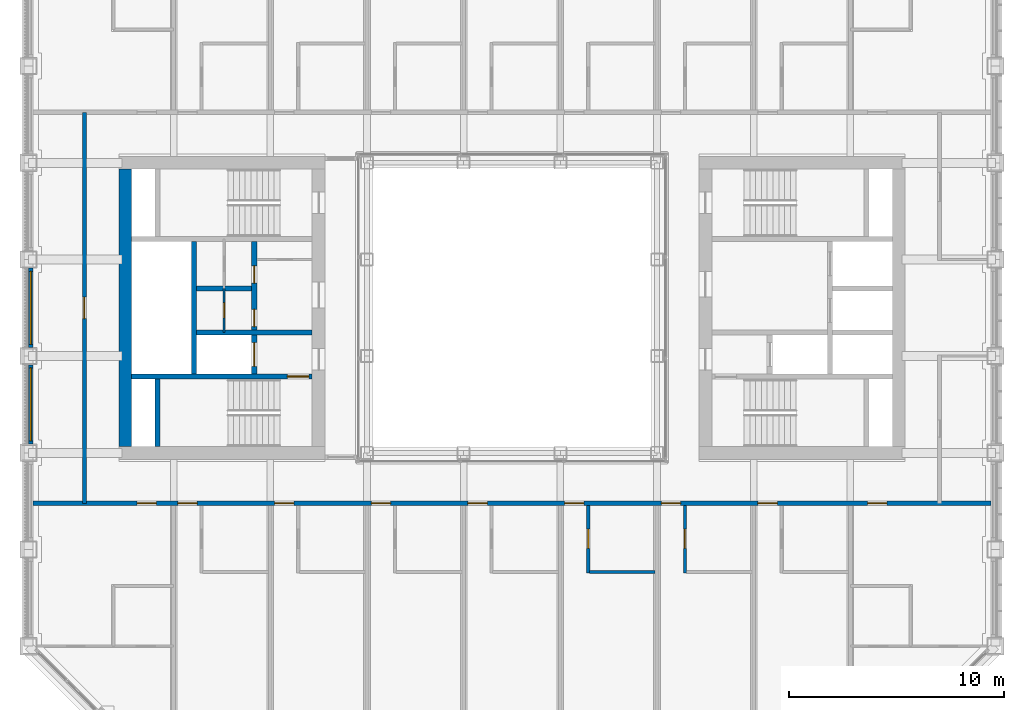
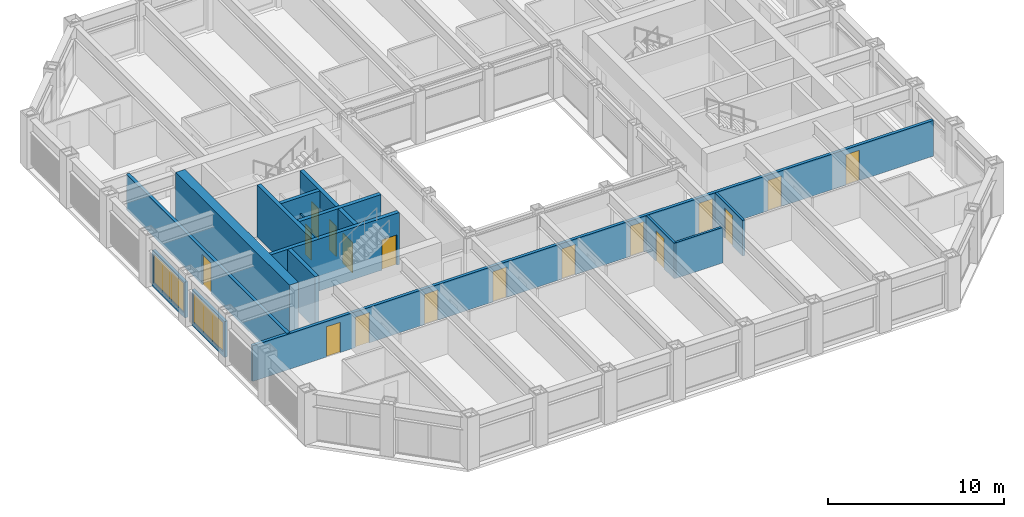
# One storey, part 11 of 18: 17 doors, 15 walls, 2 windows, 19 openings.
"""IFC4 building model written with IfcOpenShell, lengths in metres."""

from ifc_helpers import new_model, si_unit, direction, frame, frame_2d, origin, place, context, subcontext, project, spatial, rectangle, extrude, material, layer, layer_set, type_object, element, fill, save


model = new_model("IFC4")

# Units and contexts
model_context = context("Model", 3, precision=1e-05, world=origin(), true_north=direction((0.0, 1.0)))
body_context = subcontext(model_context, "Body", "Model", "MODEL_VIEW")
ifc_project = project(units=[si_unit("LENGTHUNIT", "METRE"), si_unit("AREAUNIT", "SQUARE_METRE"), si_unit("VOLUMEUNIT", "CUBIC_METRE"), si_unit("PLANEANGLEUNIT", "RADIAN"), si_unit("MASSUNIT", "GRAM", prefix="KILO")], contexts=[model_context])

# Site, building, storey
site_placement = place(None, origin())
site = spatial("IfcSite", under=ifc_project, at=site_placement, CompositionType="ELEMENT")
building_placement = place(site_placement, origin())
building = spatial("IfcBuilding", under=site, at=building_placement, Name="Msasa Ring Tower", CompositionType="ELEMENT")
storey_placement = place(building_placement, frame((0.0, 0.0, 122.0)))
storey = spatial("IfcBuildingStorey", under=building, at=storey_placement, Name="L31", CompositionType="ELEMENT", Elevation=122.0)

# Wall
ifc_material_1 = material(Name="Concrete C60/75", Category="concrete")
ifc_layer_1 = layer(ifc_material_1, 0.60009765625)
ifc_layer_set_1 = layer_set([ifc_layer_1], Name="CW2 CORE WALL 600")
wall_type_1 = type_object("IfcWallType", Name="CW2 CORE WALL 600", PredefinedType="SHEAR", material=ifc_layer_set_1)
wall_1_placement = place(storey_placement, frame((-18.0, -6.449951171875, 0.0), z_axis=(0.0, 0.0, 1.0), x_axis=(0.0, 1.0, 0.0)))
element("IfcWall", 1, at=wall_1_placement, inside=storey, type_object=wall_type_1, Name="W core wall E L31", PredefinedType="SHEAR", context=body_context, shape_type="SweptSolid", body=[
    extrude(rectangle(XDim=12.89990234375, YDim=0.60009765625, at=frame_2d((6.449951171875, 0.0))), origin(), (0.0, 0.0, 1.0), 3.60009765625),
])

# Wall, opening, door
ifc_material_2 = material(Name="Concrete C60/75", Category="concrete")
ifc_layer_2 = layer(ifc_material_2, 0.25)
ifc_layer_set_2 = layer_set([ifc_layer_2], Name="CW4 CORE INNER WALL 250")
wall_type_2 = type_object("IfcWallType", Name="CW4 CORE INNER WALL 250", PredefinedType="SHEAR", material=ifc_layer_set_2)
wall_2_placement = place(storey_placement, frame((-9.300048828125, -3.199951171875, 0.0), z_axis=(0.0, 0.0, 1.0), x_axis=(-1.0, 0.0, 0.0)))
wall_2 = element("IfcWall", 2, at=wall_2_placement, inside=storey, type_object=wall_type_2, Name="W core wall STAIRA L31", PredefinedType="SHEAR", context=body_context, shape_type="SweptSolid", body=[
    extrude(rectangle(XDim=8.39990234375, YDim=0.25, at=frame_2d((4.199951171875, 0.0))), origin(), (0.0, 0.0, 1.0), 3.60009765625),
])
opening_1_placement = place(wall_2_placement, frame((0.14990234375, 0.0, 0.0)))
opening_1 = element("IfcOpeningElement", 3, at=opening_1_placement, cuts=wall_2, Name="Opening HA-035", PredefinedType="OPENING", context=body_context, shape_type="SweptSolid", body=[
    extrude(rectangle(XDim=1.0, YDim=2.10009765625, at=frame_2d((0.5, 1.050048828125))), frame((0.0, 0.135009765625, 0.0), z_axis=(0.0, -1.0, 0.0), x_axis=(1.0, 0.0, 0.0)), (0.0, 0.0, 1.0), 0.27001953125),
])
ifc_material_3 = material(Name="Timber door leaf in a steel frame", Category="steel")
door_type_1 = type_object("IfcDoorType", Name="D6 STAIR DOOR 1000x2100", OperationType="SINGLE_SWING_LEFT", PredefinedType="DOOR", material=ifc_material_3)
door_1_placement = place(opening_1_placement, origin())
door_1 = element("IfcDoor", 4, at=door_1_placement, inside=storey, type_object=door_type_1, Name="Door L31-WSTA", OperationType="SINGLE_SWING_LEFT", OverallHeight=2.10009765625, OverallWidth=1.0, PredefinedType="DOOR", context=body_context, shape_type="SweptSolid", body=[
    extrude(rectangle(XDim=1.0, YDim=2.10009765625, at=frame_2d((0.5, 1.050048828125))), frame((0.0, 0.02490234375, 0.0), z_axis=(0.0, -1.0, 0.0), x_axis=(1.0, 0.0, 0.0)), (0.0, 0.0, 1.0), 0.050048828125),
])
fill(opening_1, door_1)

# Walls
wall_3_placement = place(storey_placement, frame((-16.5, -6.449951171875, 0.0), z_axis=(0.0, 0.0, 1.0), x_axis=(0.0, 1.0, 0.0)))
element("IfcWall", 5, at=wall_3_placement, inside=storey, type_object=wall_type_2, Name="W core wall RISERA L31", PredefinedType="SHEAR", context=body_context, shape_type="SweptSolid", body=[
    extrude(rectangle(XDim=3.125, YDim=0.25, at=frame_2d((1.5625, 0.0))), origin(), (0.0, 0.0, 1.0), 3.60009765625),
])
wall_4_placement = place(storey_placement, frame((-9.300048828125, -1.14990234375, 0.0), z_axis=(0.0, 0.0, 1.0), x_axis=(-1.0, 0.0, 0.0)))
element("IfcWall", 6, at=wall_4_placement, inside=storey, type_object=wall_type_2, Name="W core wall FFL L31", PredefinedType="SHEAR", context=body_context, shape_type="SweptSolid", body=[
    extrude(rectangle(XDim=5.375, YDim=0.25, at=frame_2d((2.6875, 0.0))), origin(), (0.0, 0.0, 1.0), 3.60009765625),
])

# Wall, openings, doors
wall_5_placement = place(storey_placement, frame((-12.0, -3.074951171875, 0.0), z_axis=(0.0, 0.0, 1.0), x_axis=(0.0, 1.0, 0.0)))
wall_5 = element("IfcWall", 7, at=wall_5_placement, inside=storey, type_object=wall_type_2, Name="W core wall LOBBY L31", PredefinedType="SHEAR", context=body_context, shape_type="SweptSolid", body=[
    extrude(rectangle(XDim=6.14990234375, YDim=0.25, at=frame_2d((3.074951171875, 0.0))), origin(), (0.0, 0.0, 1.0), 3.60009765625),
])
opening_2_placement = place(wall_5_placement, frame((2.199951171875, 0.0, 0.0)))
opening_2 = element("IfcOpeningElement", 8, at=opening_2_placement, cuts=wall_5, Name="Opening HA-032", PredefinedType="OPENING", context=body_context, shape_type="SweptSolid", body=[
    extrude(rectangle(XDim=0.800048828125, YDim=2.10009765625, at=frame_2d((0.39990234375, 1.050048828125))), frame((0.0, 0.135009765625, 0.0), z_axis=(0.0, -1.0, 0.0), x_axis=(1.0, 0.0, 0.0)), (0.0, 0.0, 1.0), 0.27001953125),
])
opening_3_placement = place(wall_5_placement, frame((4.22509765625, 0.0, 0.0)))
opening_3 = element("IfcOpeningElement", 9, at=opening_3_placement, cuts=wall_5, Name="Opening HA-027", PredefinedType="OPENING", context=body_context, shape_type="SweptSolid", body=[
    extrude(rectangle(XDim=0.800048828125, YDim=2.10009765625, at=frame_2d((0.39990234375, 1.050048828125))), frame((0.0, 0.135009765625, 0.0), z_axis=(0.0, -1.0, 0.0), x_axis=(1.0, 0.0, 0.0)), (0.0, 0.0, 1.0), 0.27001953125),
])
opening_4_placement = place(wall_5_placement, frame((0.35009765625, 0.0, 0.0)))
opening_4 = element("IfcOpeningElement", 10, at=opening_4_placement, cuts=wall_5, Name="Opening LD1", PredefinedType="OPENING", context=body_context, shape_type="SweptSolid", body=[
    extrude(rectangle(XDim=1.10009765625, YDim=2.10009765625, at=frame_2d((0.550048828125, 1.050048828125))), frame((0.0, 0.135009765625, 0.0), z_axis=(0.0, -1.0, 0.0), x_axis=(1.0, 0.0, 0.0)), (0.0, 0.0, 1.0), 0.27001953125),
])
ifc_material_4 = material(Name="Timber door leaf in a steel frame", Category="steel")
door_type_2 = type_object("IfcDoorType", Name="D9 NARROW SERVICE DOOR 800x2100", OperationType="SINGLE_SWING_LEFT", PredefinedType="DOOR", material=ifc_material_4)
door_2_placement = place(opening_2_placement, origin())
door_2 = element("IfcDoor", 11, at=door_2_placement, inside=storey, type_object=door_type_2, Name="Door L31-WR1", OperationType="SINGLE_SWING_LEFT", OverallHeight=2.10009765625, OverallWidth=0.800048828125, PredefinedType="DOOR", context=body_context, shape_type="SweptSolid", body=[
    extrude(rectangle(XDim=0.800048828125, YDim=2.10009765625, at=frame_2d((0.39990234375, 1.050048828125))), frame((0.0, 0.02490234375, 0.0), z_axis=(0.0, -1.0, 0.0), x_axis=(1.0, 0.0, 0.0)), (0.0, 0.0, 1.0), 0.050048828125),
])
fill(opening_2, door_2)
door_3_placement = place(opening_3_placement, origin())
door_3 = element("IfcDoor", 12, at=door_3_placement, inside=storey, type_object=door_type_2, Name="Door L31-WR2", OperationType="SINGLE_SWING_RIGHT", OverallHeight=2.10009765625, OverallWidth=0.800048828125, PredefinedType="DOOR", context=body_context, shape_type="SweptSolid", body=[
    extrude(rectangle(XDim=0.800048828125, YDim=2.10009765625, at=frame_2d((0.39990234375, 1.050048828125))), frame((0.0, 0.02490234375, 0.0), z_axis=(0.0, -1.0, 0.0), x_axis=(1.0, 0.0, 0.0)), (0.0, 0.0, 1.0), 0.050048828125),
])
fill(opening_3, door_3)
ifc_material_5 = material(Name="Stainless steel lift landing door", Category="steel")
door_type_3 = type_object("IfcDoorType", Name="LD1 LIFT LANDING DOOR 1100x2100", OperationType="DOUBLE_DOOR_SLIDING", PredefinedType="DOOR", material=ifc_material_5)
door_4_placement = place(opening_4_placement, origin())
door_4 = element("IfcDoor", 13, at=door_4_placement, inside=storey, type_object=door_type_3, Name="Lift landing door FL-W L31", OperationType="DOUBLE_DOOR_SLIDING", OverallHeight=2.10009765625, OverallWidth=1.10009765625, PredefinedType="DOOR", context=body_context, shape_type="SweptSolid", body=[
    extrude(rectangle(XDim=1.10009765625, YDim=2.10009765625, at=frame_2d((0.550048828125, 1.050048828125))), frame((0.0, 0.02490234375, 0.0), z_axis=(0.0, -1.0, 0.0), x_axis=(1.0, 0.0, 0.0)), (0.0, 0.0, 1.0), 0.050048828125),
])
fill(opening_4, door_4)

# Walls
wall_6_placement = place(storey_placement, frame((-14.800048828125, -3.074951171875, 0.0), z_axis=(0.0, 0.0, 1.0), x_axis=(0.0, 1.0, 0.0)))
element("IfcWall", 14, at=wall_6_placement, inside=storey, type_object=wall_type_2, Name="W core wall SHAFT L31", PredefinedType="SHEAR", context=body_context, shape_type="SweptSolid", body=[
    extrude(rectangle(XDim=6.14990234375, YDim=0.25, at=frame_2d((3.074951171875, 0.0))), origin(), (0.0, 0.0, 1.0), 3.60009765625),
])
wall_7_placement = place(storey_placement, frame((-12.125, 0.89990234375, 0.0), z_axis=(0.0, 0.0, 1.0), x_axis=(-1.0, 0.0, 0.0)))
element("IfcWall", 15, at=wall_7_placement, inside=storey, type_object=wall_type_2, Name="W core wall LIFT1 L31", PredefinedType="SHEAR", context=body_context, shape_type="SweptSolid", body=[
    extrude(rectangle(XDim=2.550048828125, YDim=0.25, at=frame_2d((1.27490234375, 0.0))), origin(), (0.0, 0.0, 1.0), 3.60009765625),
])

# Wall, opening, window
ifc_material_6 = material(Name="Terracotta rainscreen on blockwork", Category="masonry")
ifc_layer_3 = layer(ifc_material_6, 0.199951171875)
ifc_layer_set_3 = layer_set([ifc_layer_3], Name="FW1 TERRACOTTA-LINED INFILL BAY WALL 200")
wall_type_3 = type_object("IfcWallType", Name="FW1 TERRACOTTA-LINED INFILL BAY WALL 200", PredefinedType="SOLIDWALL", material=ifc_layer_set_3)
wall_8_placement = place(storey_placement, frame((-22.39990234375, -6.344970703125, 0.0), z_axis=(0.0, 0.0, 1.0), x_axis=(0.0, 1.0, 0.0)))
wall_8 = element("IfcWall", 16, at=wall_8_placement, inside=storey, type_object=wall_type_3, Name="Infill bay wall W L31 29", PredefinedType="SOLIDWALL", context=body_context, shape_type="SweptSolid", body=[
    extrude(rectangle(XDim=3.68994140625, YDim=0.199951171875, at=frame_2d((1.844970703125, 0.0))), origin(), (0.0, 0.0, 1.0), 2.47900390625),
])
opening_5_placement = place(wall_8_placement, frame((0.14501953125, 0.0, 0.300048828125)))
opening_5 = element("IfcOpeningElement", 17, at=opening_5_placement, cuts=wall_8, Name="Opening WN2", PredefinedType="OPENING", context=body_context, shape_type="SweptSolid", body=[
    extrude(rectangle(XDim=3.39990234375, YDim=2.029052734375, at=frame_2d((1.699951171875, 1.0146484375))), frame((0.0, 0.10986328125, 0.0), z_axis=(0.0, -1.0, 0.0), x_axis=(1.0, 0.0, 0.0)), (0.0, 0.0, 1.0), 0.219970703125),
])
ifc_material_7 = material(Name="Aluminium frame with clear glass", Category="aluminium")
window_type = type_object("IfcWindowType", Name="WN2 GUEST ROOM WINDOW 3400x2029", PartitioningType="SINGLE_PANEL", PredefinedType="WINDOW", material=ifc_material_7)
window_1_placement = place(opening_5_placement, origin())
window_1 = element("IfcWindow", 18, at=window_1_placement, inside=storey, type_object=window_type, Name="Window W L31 29", OverallHeight=2.029052734375, OverallWidth=3.39990234375, PartitioningType="SINGLE_PANEL", PredefinedType="WINDOW", context=body_context, shape_type="SweptSolid", body=[
    extrude(rectangle(XDim=3.39990234375, YDim=2.029052734375, at=frame_2d((1.699951171875, 1.0146484375))), frame((0.0, 0.030029296875, 0.0), z_axis=(0.0, -1.0, 0.0), x_axis=(1.0, 0.0, 0.0)), (0.0, 0.0, 1.0), 0.06005859375),
])
fill(opening_5, window_1)

wall_9_placement = place(storey_placement, frame((-22.39990234375, -1.844970703125, 0.0), z_axis=(0.0, 0.0, 1.0), x_axis=(0.0, 1.0, 0.0)))
wall_9 = element("IfcWall", 19, at=wall_9_placement, inside=storey, type_object=wall_type_3, Name="Infill bay wall W L31 30", PredefinedType="SOLIDWALL", context=body_context, shape_type="SweptSolid", body=[
    extrude(rectangle(XDim=3.68994140625, YDim=0.199951171875, at=frame_2d((1.844970703125, 0.0))), origin(), (0.0, 0.0, 1.0), 2.47900390625),
])
opening_6_placement = place(wall_9_placement, frame((0.14501953125, 0.0, 0.300048828125)))
opening_6 = element("IfcOpeningElement", 20, at=opening_6_placement, cuts=wall_9, Name="Opening WN2", PredefinedType="OPENING", context=body_context, shape_type="SweptSolid", body=[
    extrude(rectangle(XDim=3.39990234375, YDim=2.029052734375, at=frame_2d((1.699951171875, 1.0146484375))), frame((0.0, 0.10986328125, 0.0), z_axis=(0.0, -1.0, 0.0), x_axis=(1.0, 0.0, 0.0)), (0.0, 0.0, 1.0), 0.219970703125),
])
window_2_placement = place(opening_6_placement, origin())
window_2 = element("IfcWindow", 21, at=window_2_placement, inside=storey, type_object=window_type, Name="Window W L31 30", OverallHeight=2.029052734375, OverallWidth=3.39990234375, PartitioningType="SINGLE_PANEL", PredefinedType="WINDOW", context=body_context, shape_type="SweptSolid", body=[
    extrude(rectangle(XDim=3.39990234375, YDim=2.029052734375, at=frame_2d((1.699951171875, 1.0146484375))), frame((0.0, 0.030029296875, 0.0), z_axis=(0.0, -1.0, 0.0), x_axis=(1.0, 0.0, 0.0)), (0.0, 0.0, 1.0), 0.06005859375),
])
fill(opening_6, window_2)

# Wall, openings, doors
ifc_material_8 = material(Name="Concrete blockwork", Category="masonry")
ifc_layer_4 = layer(ifc_material_8, 0.199951171875)
ifc_layer_set_4 = layer_set([ifc_layer_4], Name="PT1 CORRIDOR WALL 200")
wall_type_4 = type_object("IfcWallType", Name="PT1 CORRIDOR WALL 200", PredefinedType="PARTITIONING", material=ifc_layer_set_4)
wall_10_placement = place(storey_placement, frame((-22.300048828125, -9.10009765625, 0.0), z_axis=(0.0, 0.0, 1.0), x_axis=(1.0, 0.0, 0.0)))
wall_10 = element("IfcWall", 22, at=wall_10_placement, inside=storey, type_object=wall_type_4, Name="Corridor wall L31-CORRS0", PredefinedType="PARTITIONING", context=body_context, shape_type="SweptSolid", body=[
    extrude(rectangle(XDim=44.60009765625, YDim=0.199951171875, at=frame_2d((22.300048828125, 0.0))), origin(), (0.0, 0.0, 1.0), 2.473388671875),
])
opening_7_placement = place(wall_10_placement, frame((6.75, 0.0, 0.0)))
opening_7 = element("IfcOpeningElement", 23, at=opening_7_placement, cuts=wall_10, Name="Opening HA-040", PredefinedType="OPENING", context=body_context, shape_type="SweptSolid", body=[
    extrude(rectangle(XDim=0.89990234375, YDim=2.10009765625, at=frame_2d((0.449951171875, 1.050048828125))), frame((0.0, 0.10986328125, 0.0), z_axis=(0.0, -1.0, 0.0), x_axis=(1.0, 0.0, 0.0)), (0.0, 0.0, 1.0), 0.219970703125),
])
opening_8_placement = place(wall_10_placement, frame((11.25, 0.0, 0.0)))
opening_8 = element("IfcOpeningElement", 24, at=opening_8_placement, cuts=wall_10, Name="Opening HA-041", PredefinedType="OPENING", context=body_context, shape_type="SweptSolid", body=[
    extrude(rectangle(XDim=0.89990234375, YDim=2.10009765625, at=frame_2d((0.449951171875, 1.050048828125))), frame((0.0, 0.10986328125, 0.0), z_axis=(0.0, -1.0, 0.0), x_axis=(1.0, 0.0, 0.0)), (0.0, 0.0, 1.0), 0.219970703125),
])
opening_9_placement = place(wall_10_placement, frame((15.75, 0.0, 0.0)))
opening_9 = element("IfcOpeningElement", 25, at=opening_9_placement, cuts=wall_10, Name="Opening HA-042", PredefinedType="OPENING", context=body_context, shape_type="SweptSolid", body=[
    extrude(rectangle(XDim=0.89990234375, YDim=2.10009765625, at=frame_2d((0.449951171875, 1.050048828125))), frame((0.0, 0.10986328125, 0.0), z_axis=(0.0, -1.0, 0.0), x_axis=(1.0, 0.0, 0.0)), (0.0, 0.0, 1.0), 0.219970703125),
])
opening_10_placement = place(wall_10_placement, frame((20.25, 0.0, 0.0)))
opening_10 = element("IfcOpeningElement", 26, at=opening_10_placement, cuts=wall_10, Name="Opening HA-043", PredefinedType="OPENING", context=body_context, shape_type="SweptSolid", body=[
    extrude(rectangle(XDim=0.89990234375, YDim=2.10009765625, at=frame_2d((0.449951171875, 1.050048828125))), frame((0.0, 0.10986328125, 0.0), z_axis=(0.0, -1.0, 0.0), x_axis=(1.0, 0.0, 0.0)), (0.0, 0.0, 1.0), 0.219970703125),
])
opening_11_placement = place(wall_10_placement, frame((24.75, 0.0, 0.0)))
opening_11 = element("IfcOpeningElement", 27, at=opening_11_placement, cuts=wall_10, Name="Opening HA-044", PredefinedType="OPENING", context=body_context, shape_type="SweptSolid", body=[
    extrude(rectangle(XDim=0.89990234375, YDim=2.10009765625, at=frame_2d((0.449951171875, 1.050048828125))), frame((0.0, 0.10986328125, 0.0), z_axis=(0.0, -1.0, 0.0), x_axis=(1.0, 0.0, 0.0)), (0.0, 0.0, 1.0), 0.219970703125),
])
opening_12_placement = place(wall_10_placement, frame((29.25, 0.0, 0.0)))
opening_12 = element("IfcOpeningElement", 28, at=opening_12_placement, cuts=wall_10, Name="Opening HA-045", PredefinedType="OPENING", context=body_context, shape_type="SweptSolid", body=[
    extrude(rectangle(XDim=0.89990234375, YDim=2.10009765625, at=frame_2d((0.449951171875, 1.050048828125))), frame((0.0, 0.10986328125, 0.0), z_axis=(0.0, -1.0, 0.0), x_axis=(1.0, 0.0, 0.0)), (0.0, 0.0, 1.0), 0.219970703125),
])
opening_13_placement = place(wall_10_placement, frame((33.75, 0.0, 0.0)))
opening_13 = element("IfcOpeningElement", 29, at=opening_13_placement, cuts=wall_10, Name="Opening HA-046", PredefinedType="OPENING", context=body_context, shape_type="SweptSolid", body=[
    extrude(rectangle(XDim=0.89990234375, YDim=2.10009765625, at=frame_2d((0.449951171875, 1.050048828125))), frame((0.0, 0.10986328125, 0.0), z_axis=(0.0, -1.0, 0.0), x_axis=(1.0, 0.0, 0.0)), (0.0, 0.0, 1.0), 0.219970703125),
])
opening_14_placement = place(wall_10_placement, frame((38.85009765625, 0.0, 0.0)))
opening_14 = element("IfcOpeningElement", 30, at=opening_14_placement, cuts=wall_10, Name="Opening HA-047", PredefinedType="OPENING", context=body_context, shape_type="SweptSolid", body=[
    extrude(rectangle(XDim=0.89990234375, YDim=2.10009765625, at=frame_2d((0.449951171875, 1.050048828125))), frame((0.0, 0.10986328125, 0.0), z_axis=(0.0, -1.0, 0.0), x_axis=(1.0, 0.0, 0.0)), (0.0, 0.0, 1.0), 0.219970703125),
])
opening_15_placement = place(wall_10_placement, frame((4.85009765625, 0.0, 0.0)))
opening_15 = element("IfcOpeningElement", 31, at=opening_15_placement, cuts=wall_10, Name="Opening HA-039", PredefinedType="OPENING", context=body_context, shape_type="SweptSolid", body=[
    extrude(rectangle(XDim=0.89990234375, YDim=2.10009765625, at=frame_2d((0.449951171875, 1.050048828125))), frame((0.0, 0.10986328125, 0.0), z_axis=(0.0, -1.0, 0.0), x_axis=(1.0, 0.0, 0.0)), (0.0, 0.0, 1.0), 0.219970703125),
])
ifc_material_9 = material(Name="Timber door leaf in a steel frame", Category="steel")
door_type_4 = type_object("IfcDoorType", Name="D1 SINGLE DOOR TO CORRIDOR 900x2100", OperationType="SINGLE_SWING_LEFT", PredefinedType="DOOR", material=ifc_material_9)
door_5_placement = place(opening_7_placement, origin())
door_5 = element("IfcDoor", 32, at=door_5_placement, inside=storey, type_object=door_type_4, Name="Door L31-GS00", OperationType="SINGLE_SWING_LEFT", OverallHeight=2.10009765625, OverallWidth=0.89990234375, PredefinedType="DOOR", context=body_context, shape_type="SweptSolid", body=[
    extrude(rectangle(XDim=0.89990234375, YDim=2.10009765625, at=frame_2d((0.449951171875, 1.050048828125))), frame((0.0, 0.02490234375, 0.0), z_axis=(0.0, -1.0, 0.0), x_axis=(1.0, 0.0, 0.0)), (0.0, 0.0, 1.0), 0.050048828125),
])
fill(opening_7, door_5)
door_6_placement = place(opening_8_placement, origin())
door_6 = element("IfcDoor", 33, at=door_6_placement, inside=storey, type_object=door_type_4, Name="Door L31-GS01", OperationType="SINGLE_SWING_LEFT", OverallHeight=2.10009765625, OverallWidth=0.89990234375, PredefinedType="DOOR", context=body_context, shape_type="SweptSolid", body=[
    extrude(rectangle(XDim=0.89990234375, YDim=2.10009765625, at=frame_2d((0.449951171875, 1.050048828125))), frame((0.0, 0.02490234375, 0.0), z_axis=(0.0, -1.0, 0.0), x_axis=(1.0, 0.0, 0.0)), (0.0, 0.0, 1.0), 0.050048828125),
])
fill(opening_8, door_6)
door_7_placement = place(opening_9_placement, origin())
door_7 = element("IfcDoor", 34, at=door_7_placement, inside=storey, type_object=door_type_4, Name="Door L31-GS02", OperationType="SINGLE_SWING_LEFT", OverallHeight=2.10009765625, OverallWidth=0.89990234375, PredefinedType="DOOR", context=body_context, shape_type="SweptSolid", body=[
    extrude(rectangle(XDim=0.89990234375, YDim=2.10009765625, at=frame_2d((0.449951171875, 1.050048828125))), frame((0.0, 0.02490234375, 0.0), z_axis=(0.0, -1.0, 0.0), x_axis=(1.0, 0.0, 0.0)), (0.0, 0.0, 1.0), 0.050048828125),
])
fill(opening_9, door_7)
door_8_placement = place(opening_10_placement, origin())
door_8 = element("IfcDoor", 35, at=door_8_placement, inside=storey, type_object=door_type_4, Name="Door L31-GS03", OperationType="SINGLE_SWING_LEFT", OverallHeight=2.10009765625, OverallWidth=0.89990234375, PredefinedType="DOOR", context=body_context, shape_type="SweptSolid", body=[
    extrude(rectangle(XDim=0.89990234375, YDim=2.10009765625, at=frame_2d((0.449951171875, 1.050048828125))), frame((0.0, 0.02490234375, 0.0), z_axis=(0.0, -1.0, 0.0), x_axis=(1.0, 0.0, 0.0)), (0.0, 0.0, 1.0), 0.050048828125),
])
fill(opening_10, door_8)
door_9_placement = place(opening_11_placement, origin())
door_9 = element("IfcDoor", 36, at=door_9_placement, inside=storey, type_object=door_type_4, Name="Door L31-GS04", OperationType="SINGLE_SWING_RIGHT", OverallHeight=2.10009765625, OverallWidth=0.89990234375, PredefinedType="DOOR", context=body_context, shape_type="SweptSolid", body=[
    extrude(rectangle(XDim=0.89990234375, YDim=2.10009765625, at=frame_2d((0.449951171875, 1.050048828125))), frame((0.0, 0.02490234375, 0.0), z_axis=(0.0, -1.0, 0.0), x_axis=(1.0, 0.0, 0.0)), (0.0, 0.0, 1.0), 0.050048828125),
])
fill(opening_11, door_9)
door_10_placement = place(opening_12_placement, origin())
door_10 = element("IfcDoor", 37, at=door_10_placement, inside=storey, type_object=door_type_4, Name="Door L31-GS05", OperationType="SINGLE_SWING_RIGHT", OverallHeight=2.10009765625, OverallWidth=0.89990234375, PredefinedType="DOOR", context=body_context, shape_type="SweptSolid", body=[
    extrude(rectangle(XDim=0.89990234375, YDim=2.10009765625, at=frame_2d((0.449951171875, 1.050048828125))), frame((0.0, 0.02490234375, 0.0), z_axis=(0.0, -1.0, 0.0), x_axis=(1.0, 0.0, 0.0)), (0.0, 0.0, 1.0), 0.050048828125),
])
fill(opening_12, door_10)
door_11_placement = place(opening_13_placement, origin())
door_11 = element("IfcDoor", 38, at=door_11_placement, inside=storey, type_object=door_type_4, Name="Door L31-GS06", OperationType="SINGLE_SWING_RIGHT", OverallHeight=2.10009765625, OverallWidth=0.89990234375, PredefinedType="DOOR", context=body_context, shape_type="SweptSolid", body=[
    extrude(rectangle(XDim=0.89990234375, YDim=2.10009765625, at=frame_2d((0.449951171875, 1.050048828125))), frame((0.0, 0.02490234375, 0.0), z_axis=(0.0, -1.0, 0.0), x_axis=(1.0, 0.0, 0.0)), (0.0, 0.0, 1.0), 0.050048828125),
])
fill(opening_13, door_11)
ifc_material_10 = material(Name="Timber door leaf in a steel frame", Category="steel")
door_type_5 = type_object("IfcDoorType", Name="D2 ENTRANCE DOOR 900x2100", OperationType="SINGLE_SWING_LEFT", PredefinedType="DOOR", material=ifc_material_10)
door_12_placement = place(opening_14_placement, origin())
door_12 = element("IfcDoor", 39, at=door_12_placement, inside=storey, type_object=door_type_5, Name="Door L31-CSSE", OperationType="SINGLE_SWING_RIGHT", OverallHeight=2.10009765625, OverallWidth=0.89990234375, PredefinedType="DOOR", context=body_context, shape_type="SweptSolid", body=[
    extrude(rectangle(XDim=0.89990234375, YDim=2.10009765625, at=frame_2d((0.449951171875, 1.050048828125))), frame((0.0, 0.02490234375, 0.0), z_axis=(0.0, -1.0, 0.0), x_axis=(1.0, 0.0, 0.0)), (0.0, 0.0, 1.0), 0.050048828125),
])
fill(opening_14, door_12)
door_13_placement = place(opening_15_placement, origin())
door_13 = element("IfcDoor", 40, at=door_13_placement, inside=storey, type_object=door_type_5, Name="Door L31-CSSW", OperationType="SINGLE_SWING_LEFT", OverallHeight=2.10009765625, OverallWidth=0.89990234375, PredefinedType="DOOR", context=body_context, shape_type="SweptSolid", body=[
    extrude(rectangle(XDim=0.89990234375, YDim=2.10009765625, at=frame_2d((0.449951171875, 1.050048828125))), frame((0.0, 0.02490234375, 0.0), z_axis=(0.0, -1.0, 0.0), x_axis=(1.0, 0.0, 0.0)), (0.0, 0.0, 1.0), 0.050048828125),
])
fill(opening_15, door_13)

# Wall, opening, door
wall_11_placement = place(storey_placement, frame((-19.89990234375, -9.10009765625, 0.0), z_axis=(0.0, 0.0, 1.0), x_axis=(0.0, 1.0, 0.0)))
wall_11 = element("IfcWall", 41, at=wall_11_placement, inside=storey, type_object=wall_type_4, Name="Corridor wall L31-STRW", PredefinedType="PARTITIONING", context=body_context, shape_type="SweptSolid", body=[
    extrude(rectangle(XDim=18.2001953125, YDim=0.199951171875, at=frame_2d((9.10009765625, 0.0))), origin(), (0.0, 0.0, 1.0), 2.473388671875),
])
opening_16_placement = place(wall_11_placement, frame((8.60009765625, 0.0, 0.0)))
opening_16 = element("IfcOpeningElement", 42, at=opening_16_placement, cuts=wall_11, Name="Opening HA-030", PredefinedType="OPENING", context=body_context, shape_type="SweptSolid", body=[
    extrude(rectangle(XDim=1.0, YDim=2.10009765625, at=frame_2d((0.5, 1.050048828125))), frame((0.0, 0.10986328125, 0.0), z_axis=(0.0, -1.0, 0.0), x_axis=(1.0, 0.0, 0.0)), (0.0, 0.0, 1.0), 0.219970703125),
])
ifc_material_11 = material(Name="Timber door leaf in a steel frame", Category="steel")
door_type_6 = type_object("IfcDoorType", Name="D10 STORE DOOR 1000x2100", OperationType="SINGLE_SWING_LEFT", PredefinedType="DOOR", material=ifc_material_11)
door_14_placement = place(opening_16_placement, origin())
door_14 = element("IfcDoor", 43, at=door_14_placement, inside=storey, type_object=door_type_6, Name="Door L31-LGW", OperationType="SINGLE_SWING_LEFT", OverallHeight=2.10009765625, OverallWidth=1.0, PredefinedType="DOOR", context=body_context, shape_type="SweptSolid", body=[
    extrude(rectangle(XDim=1.0, YDim=2.10009765625, at=frame_2d((0.5, 1.050048828125))), frame((0.0, 0.02490234375, 0.0), z_axis=(0.0, -1.0, 0.0), x_axis=(1.0, 0.0, 0.0)), (0.0, 0.0, 1.0), 0.050048828125),
])
fill(opening_16, door_14)

ifc_material_12 = material(Name="Gypsum board on steel studs", Category="steel")
ifc_layer_5 = layer(ifc_material_12, 0.10009765625)
ifc_layer_set_5 = layer_set([ifc_layer_5], Name="PT2 STUD PARTITION 100")
wall_type_5 = type_object("IfcWallType", Name="PT2 STUD PARTITION 100", PredefinedType="PARTITIONING", material=ifc_layer_set_5)
wall_12_placement = place(storey_placement, frame((-13.39990234375, -1.14990234375, 0.0), z_axis=(0.0, 0.0, 1.0), x_axis=(0.0, 1.0, 0.0)))
wall_12 = element("IfcWall", 44, at=wall_12_placement, inside=storey, type_object=wall_type_5, Name="Partition L31-WRP1", PredefinedType="PARTITIONING", context=body_context, shape_type="SweptSolid", body=[
    extrude(rectangle(XDim=2.0498046875, YDim=0.10009765625, at=frame_2d((1.02490234375, 0.0))), origin(), (0.0, 0.0, 1.0), 2.473388671875),
])
opening_17_placement = place(wall_12_placement, frame((0.675048828125, 0.0, 0.0)))
opening_17 = element("IfcOpeningElement", 45, at=opening_17_placement, cuts=wall_12, Name="Opening HA-031", PredefinedType="OPENING", context=body_context, shape_type="SweptSolid", body=[
    extrude(rectangle(XDim=0.699951171875, YDim=2.10009765625, at=frame_2d((0.35009765625, 1.050048828125))), frame((0.0, 0.06005859375, 0.0), z_axis=(0.0, -1.0, 0.0), x_axis=(1.0, 0.0, 0.0)), (0.0, 0.0, 1.0), 0.1201171875),
])
ifc_material_13 = material(Name="Timber door leaf in a steel frame", Category="steel")
door_type_7 = type_object("IfcDoorType", Name="D32 INTERNAL NARROW STORE DOOR 700x2100", OperationType="SINGLE_SWING_LEFT", PredefinedType="DOOR", material=ifc_material_13)
door_15_placement = place(opening_17_placement, origin())
door_15 = element("IfcDoor", 46, at=door_15_placement, inside=storey, type_object=door_type_7, Name="Door L31-WRC1", OperationType="SINGLE_SWING_LEFT", OverallHeight=2.10009765625, OverallWidth=0.699951171875, PredefinedType="DOOR", context=body_context, shape_type="SweptSolid", body=[
    extrude(rectangle(XDim=0.699951171875, YDim=2.10009765625, at=frame_2d((0.35009765625, 1.050048828125))), frame((0.0, 0.02490234375, 0.0), z_axis=(0.0, -1.0, 0.0), x_axis=(1.0, 0.0, 0.0)), (0.0, 0.0, 1.0), 0.050048828125),
])
fill(opening_17, door_15)

ifc_material_14 = material(Name="Moisture-resistant board on steel studs with a concealed cistern and pipe void, tiled", Category="steel")
ifc_layer_6 = layer(ifc_material_14, 0.14990234375)
ifc_layer_set_6 = layer_set([ifc_layer_6], Name="PT4 BATHROOM WET WALL 150")
wall_type_6 = type_object("IfcWallType", Name="PT4 BATHROOM WET WALL 150", PredefinedType="PARTITIONING", material=ifc_layer_set_6)
wall_13_placement = place(storey_placement, frame((3.550048828125, -12.35009765625, 0.0), z_axis=(0.0, 0.0, 1.0), x_axis=(0.0, 1.0, 0.0)))
wall_13 = element("IfcWall", 47, at=wall_13_placement, inside=storey, type_object=wall_type_6, Name="Partition L31-GS04BX", PredefinedType="PARTITIONING", context=body_context, shape_type="SweptSolid", body=[
    extrude(rectangle(XDim=3.150146484375, YDim=0.14990234375, at=frame_2d((1.5751953125, 0.0))), origin(), (0.0, 0.0, 1.0), 2.473388671875),
])
opening_18_placement = place(wall_13_placement, frame((1.14990234375, 0.0, 0.0)))
opening_18 = element("IfcOpeningElement", 48, at=opening_18_placement, cuts=wall_13, Name="Opening HA-052", PredefinedType="OPENING", context=body_context, shape_type="SweptSolid", body=[
    extrude(rectangle(XDim=0.89990234375, YDim=2.10009765625, at=frame_2d((0.449951171875, 1.050048828125))), frame((0.0, 0.0849609375, 0.0), z_axis=(0.0, -1.0, 0.0), x_axis=(1.0, 0.0, 0.0)), (0.0, 0.0, 1.0), 0.169921875),
])
ifc_material_15 = material(Name="Timber door leaf in a steel frame", Category="steel")
door_type_8 = type_object("IfcDoorType", Name="D3 BATHROOM DOOR 900x2100", OperationType="SINGLE_SWING_LEFT", PredefinedType="DOOR", material=ifc_material_15)
door_16_placement = place(opening_18_placement, origin())
door_16 = element("IfcDoor", 49, at=door_16_placement, inside=storey, type_object=door_type_8, Name="Door L31-GS04B", OperationType="SINGLE_SWING_LEFT", OverallHeight=2.10009765625, OverallWidth=0.89990234375, PredefinedType="DOOR", context=body_context, shape_type="SweptSolid", body=[
    extrude(rectangle(XDim=0.89990234375, YDim=2.10009765625, at=frame_2d((0.449951171875, 1.050048828125))), frame((0.0, 0.02490234375, 0.0), z_axis=(0.0, -1.0, 0.0), x_axis=(1.0, 0.0, 0.0)), (0.0, 0.0, 1.0), 0.050048828125),
])
fill(opening_18, door_16)

# Wall
wall_14_placement = place(storey_placement, frame((3.60009765625, -12.300048828125, 0.0), z_axis=(0.0, 0.0, 1.0), x_axis=(1.0, 0.0, 0.0)))
element("IfcWall", 50, at=wall_14_placement, inside=storey, type_object=wall_type_6, Name="Partition L31-GS04BY", PredefinedType="PARTITIONING", context=body_context, shape_type="SweptSolid", body=[
    extrude(rectangle(XDim=3.0625, YDim=0.14990234375, at=frame_2d((1.53125, 0.0))), origin(), (0.0, 0.0, 1.0), 2.473388671875),
])

# Wall, opening, door
wall_15_placement = place(storey_placement, frame((8.050048828125, -12.35009765625, 0.0), z_axis=(0.0, 0.0, 1.0), x_axis=(0.0, 1.0, 0.0)))
wall_15 = element("IfcWall", 51, at=wall_15_placement, inside=storey, type_object=wall_type_6, Name="Partition L31-GS05BX", PredefinedType="PARTITIONING", context=body_context, shape_type="SweptSolid", body=[
    extrude(rectangle(XDim=3.150146484375, YDim=0.14990234375, at=frame_2d((1.5751953125, 0.0))), origin(), (0.0, 0.0, 1.0), 2.473388671875),
])
opening_19_placement = place(wall_15_placement, frame((1.14990234375, 0.0, 0.0)))
opening_19 = element("IfcOpeningElement", 52, at=opening_19_placement, cuts=wall_15, Name="Opening HA-053", PredefinedType="OPENING", context=body_context, shape_type="SweptSolid", body=[
    extrude(rectangle(XDim=0.89990234375, YDim=2.10009765625, at=frame_2d((0.449951171875, 1.050048828125))), frame((0.0, 0.0849609375, 0.0), z_axis=(0.0, -1.0, 0.0), x_axis=(1.0, 0.0, 0.0)), (0.0, 0.0, 1.0), 0.169921875),
])
door_17_placement = place(opening_19_placement, origin())
door_17 = element("IfcDoor", 53, at=door_17_placement, inside=storey, type_object=door_type_8, Name="Door L31-GS05B", OperationType="SINGLE_SWING_LEFT", OverallHeight=2.10009765625, OverallWidth=0.89990234375, PredefinedType="DOOR", context=body_context, shape_type="SweptSolid", body=[
    extrude(rectangle(XDim=0.89990234375, YDim=2.10009765625, at=frame_2d((0.449951171875, 1.050048828125))), frame((0.0, 0.02490234375, 0.0), z_axis=(0.0, -1.0, 0.0), x_axis=(1.0, 0.0, 0.0)), (0.0, 0.0, 1.0), 0.050048828125),
])
fill(opening_19, door_17)

save(model, "model.ifc")
